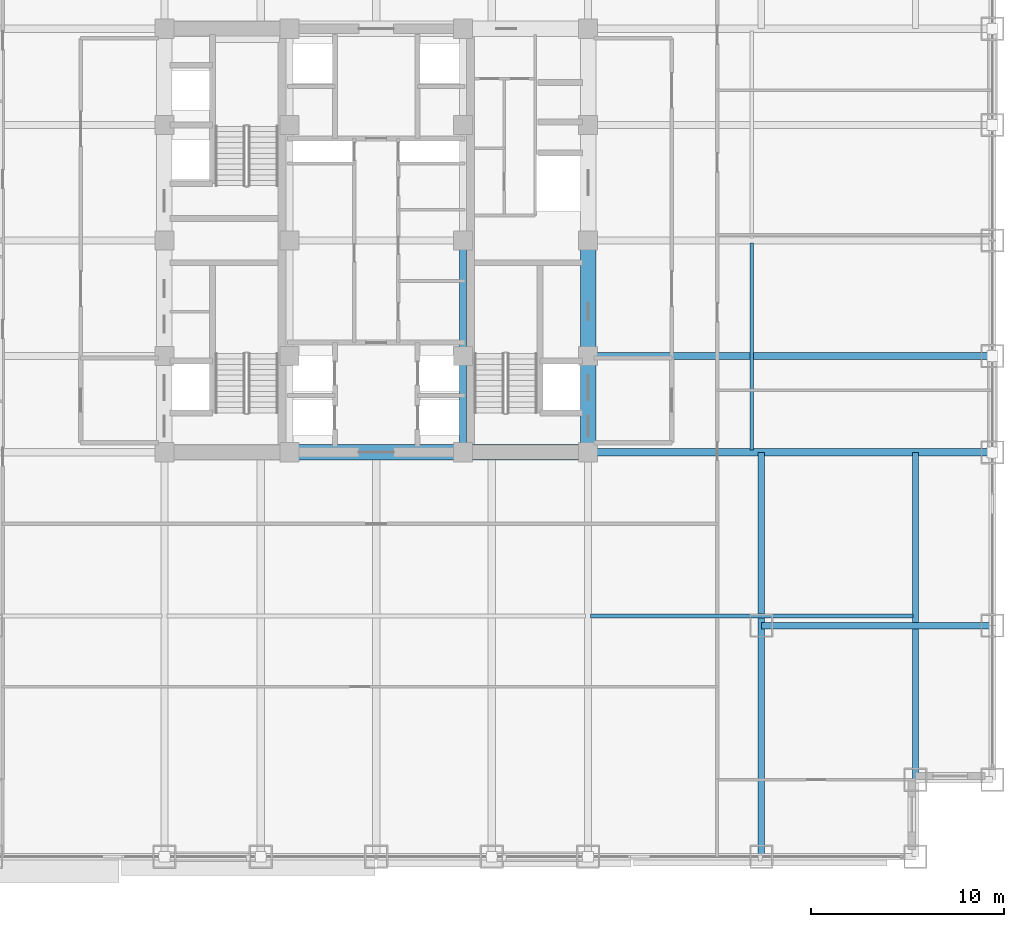
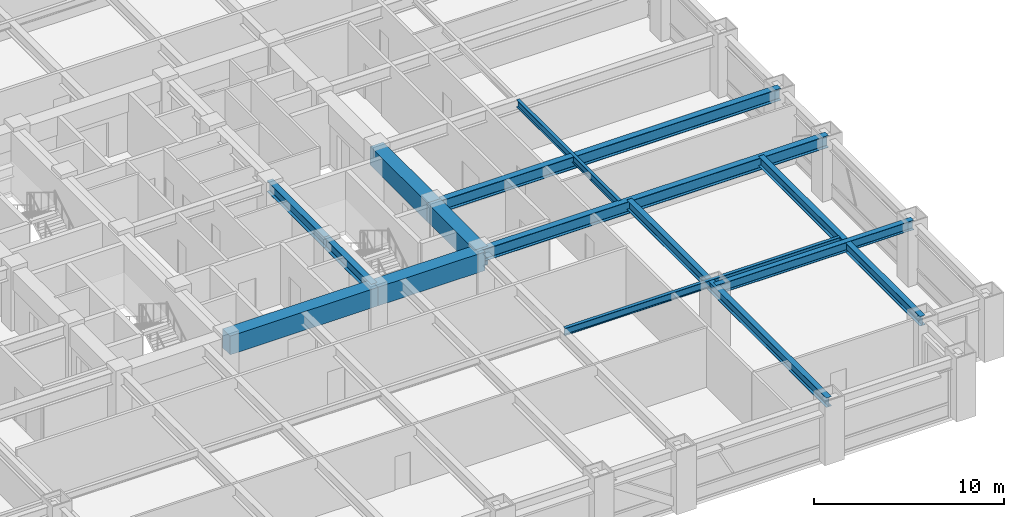
# One storey, part 7 of 32: 13 beams.
"""IFC4 building model written with IfcOpenShell, lengths in metres."""

from ifc_helpers import new_model, si_unit, direction, frame, origin, origin_2d, place, context, subcontext, project, spatial, rectangle, i_section, extrude, source, transform, mapped, material, material_profile, profile_set, type_object, element, save


model = new_model("IFC4")

# Units and contexts
model_context = context("Model", 3, precision=1e-05, world=origin(), true_north=direction((0.0, 1.0)))
body_context = subcontext(model_context, "Body", "Model", "MODEL_VIEW")
ifc_project = project(units=[si_unit("LENGTHUNIT", "METRE"), si_unit("AREAUNIT", "SQUARE_METRE"), si_unit("VOLUMEUNIT", "CUBIC_METRE"), si_unit("PLANEANGLEUNIT", "RADIAN"), si_unit("MASSUNIT", "GRAM", prefix="KILO")], contexts=[model_context])

# Site, building, storey
site_placement = place(None, origin())
site = spatial("IfcSite", under=ifc_project, at=site_placement, CompositionType="ELEMENT")
building_placement = place(site_placement, origin())
building = spatial("IfcBuilding", under=site, at=building_placement, Name="Khorayat Bourse Tower", CompositionType="ELEMENT")
storey_placement = place(building_placement, frame((0.0, 0.0, 99.60009765625)))
storey = spatial("IfcBuildingStorey", under=building, at=storey_placement, Name="L22", CompositionType="ELEMENT", Elevation=99.60009765625)

# Beams
ifc_material_1 = material(Name="Concrete C72/90", Category="concrete")
ifc_material_profile_1 = material_profile(ifc_material_1, rectangle(XDim=0.800048828125, YDim=1.199951171875, at=origin_2d()), Name="RC 800x1200")
ifc_profile_set_1 = profile_set([ifc_material_profile_1], Name="Concrete C72/90")
beam_type_1 = type_object("IfcBeamType", Name="BM-COUP-1200", PredefinedType="BEAM", material=ifc_profile_set_1)
shared_shape_1 = source(origin(), body_context, "Body", "SweptSolid", [
    extrude(rectangle(XDim=0.800048828125, YDim=1.199951171875, at=origin_2d()), origin(), (0.0, 0.0, 1.0), 5.0),
])
beam_1_placement = place(storey_placement, frame((11.0, -11.0, 3.239990234375), z_axis=(0.0, 1.0, 0.0), x_axis=(-1.0, 0.0, 0.0)))
element("IfcBeam", 1, at=beam_1_placement, inside=storey, type_object=beam_type_1, Name="L22 BM-COUP-1200 BM-L22-CRX-13", PredefinedType="BEAM", context=body_context, shape_type="MappedRepresentation", body=[
    mapped(shared_shape_1, transform((0.0, 0.0, 0.0), scale=1.0)),
])
shared_shape_2 = source(origin(), body_context, "Body", "SweptSolid", [
    extrude(rectangle(XDim=0.800048828125, YDim=1.199951171875, at=origin_2d()), origin(), (0.0, 0.0, 1.0), 6.0),
])
beam_2_placement = place(storey_placement, frame((11.0, -6.0, 3.239990234375), z_axis=(0.0, 1.0, 0.0), x_axis=(-1.0, 0.0, 0.0)))
element("IfcBeam", 2, at=beam_2_placement, inside=storey, type_object=beam_type_1, Name="L22 BM-COUP-1200 BM-L22-CRX-14", PredefinedType="BEAM", context=body_context, shape_type="MappedRepresentation", body=[
    mapped(shared_shape_2, transform((0.0, 0.0, 0.0), scale=1.0)),
])
ifc_material_2 = material(Name="Steel ASTM A992 Grade 50", Category="steel")
ifc_material_profile_2 = material_profile(ifc_material_2, i_section(OverallWidth=0.35498046875, OverallDepth=0.695068359375, WebThickness=0.015380859375, FlangeThickness=0.02490234375, FilletRadius=0.01806640625, at=origin_2d()), Name="W690X217")
ifc_profile_set_2 = profile_set([ifc_material_profile_2], Name="Steel ASTM A992 Grade 50")
beam_type_2 = type_object("IfcBeamType", Name="BM-GIRD-690", PredefinedType="BEAM", material=ifc_profile_set_2)
shared_shape_3 = source(origin(), body_context, "Body", "SweptSolid", [
    extrude(i_section(OverallWidth=0.35498046875, OverallDepth=0.695068359375, WebThickness=0.015380859375, FlangeThickness=0.02490234375, FilletRadius=0.01806640625, at=origin_2d()), origin(), (0.0, 0.0, 1.0), 5.0),
])
beam_3_placement = place(storey_placement, frame((4.5, -11.0, 3.492431640625), z_axis=(0.0, 1.0, 0.0), x_axis=(-1.0, 0.0, 0.0)))
element("IfcBeam", 3, at=beam_3_placement, inside=storey, type_object=beam_type_2, Name="L22 BM-GIRD-690 BM-L22-CRX-09", PredefinedType="BEAM", context=body_context, shape_type="MappedRepresentation", body=[
    mapped(shared_shape_3, transform((0.0, 0.0, 0.0), scale=1.0)),
])
shared_shape_4 = source(origin(), body_context, "Body", "SweptSolid", [
    extrude(i_section(OverallWidth=0.35498046875, OverallDepth=0.695068359375, WebThickness=0.015380859375, FlangeThickness=0.02490234375, FilletRadius=0.01806640625, at=origin_2d()), origin(), (0.0, 0.0, 1.0), 6.0),
])
beam_4_placement = place(storey_placement, frame((4.5, -6.0, 3.492431640625), z_axis=(0.0, 1.0, 0.0), x_axis=(-1.0, 0.0, 0.0)))
element("IfcBeam", 4, at=beam_4_placement, inside=storey, type_object=beam_type_2, Name="L22 BM-GIRD-690 BM-L22-CRX-10", PredefinedType="BEAM", context=body_context, shape_type="MappedRepresentation", body=[
    mapped(shared_shape_4, transform((0.0, 0.0, 0.0), scale=1.0)),
])
shared_shape_5 = source(origin(), body_context, "Body", "SweptSolid", [
    extrude(rectangle(XDim=0.800048828125, YDim=1.199951171875, at=origin_2d()), origin(), (0.0, 0.0, 1.0), 6.5),
])
beam_5_placement = place(storey_placement, frame((4.5, -11.0, 3.239990234375), z_axis=(1.0, 0.0, 0.0), x_axis=(0.0, 1.0, 0.0)))
element("IfcBeam", 5, at=beam_5_placement, inside=storey, type_object=beam_type_1, Name="L22 BM-COUP-1200 BM-L22-CRY-19", PredefinedType="BEAM", context=body_context, shape_type="MappedRepresentation", body=[
    mapped(shared_shape_5, transform((0.0, 0.0, 0.0), scale=1.0)),
])
shared_shape_6 = source(origin(), body_context, "Body", "SweptSolid", [
    extrude(rectangle(XDim=0.800048828125, YDim=1.199951171875, at=origin_2d()), origin(), (0.0, 0.0, 1.0), 9.0),
])
beam_6_placement = place(storey_placement, frame((-4.5, -11.0, 3.239990234375), z_axis=(1.0, 0.0, 0.0), x_axis=(0.0, 1.0, 0.0)))
element("IfcBeam", 6, at=beam_6_placement, inside=storey, type_object=beam_type_1, Name="L22 BM-COUP-1200 BM-L22-CRY-18", PredefinedType="BEAM", context=body_context, shape_type="MappedRepresentation", body=[
    mapped(shared_shape_6, transform((0.0, 0.0, 0.0), scale=1.0)),
])
ifc_material_profile_3 = material_profile(ifc_material_2, i_section(OverallWidth=0.324951171875, OverallDepth=0.615966796875, WebThickness=0.013916015625, FlangeThickness=0.021484375, FilletRadius=0.01611328125, at=origin_2d()), Name="W610X174")
ifc_profile_set_3 = profile_set([ifc_material_profile_3], Name="Steel ASTM A992 Grade 50")
beam_type_3 = type_object("IfcBeamType", Name="BM-GIRD-610", PredefinedType="BEAM", material=ifc_profile_set_3)
shared_shape_7 = source(origin(), body_context, "Body", "SweptSolid", [
    extrude(i_section(OverallWidth=0.324951171875, OverallDepth=0.615966796875, WebThickness=0.013916015625, FlangeThickness=0.021484375, FilletRadius=0.01611328125, at=origin_2d()), origin(), (0.0, 0.0, 1.0), 21.0),
])
beam_7_placement = place(storey_placement, frame((20.0, -32.0, 3.531982421875), z_axis=(0.0, 1.0, 0.0), x_axis=(-1.0, 0.0, 0.0)))
element("IfcBeam", 7, at=beam_7_placement, inside=storey, type_object=beam_type_3, Name="L22 BM-GIRD-610 BM-L22-CNRY-086", PredefinedType="BEAM", context=body_context, shape_type="MappedRepresentation", body=[
    mapped(shared_shape_7, transform((0.0, 0.0, 0.0), scale=1.0)),
])
shared_shape_8 = source(origin(), body_context, "Body", "SweptSolid", [
    extrude(i_section(OverallWidth=0.324951171875, OverallDepth=0.615966796875, WebThickness=0.013916015625, FlangeThickness=0.021484375, FilletRadius=0.01611328125, at=origin_2d()), origin(), (0.0, 0.0, 1.0), 12.0),
])
beam_8_placement = place(storey_placement, frame((20.0, -20.0, 3.531982421875), z_axis=(1.0, 0.0, 0.0), x_axis=(0.0, 1.0, 0.0)))
element("IfcBeam", 8, at=beam_8_placement, inside=storey, type_object=beam_type_3, Name="L22 BM-GIRD-610 BM-L22-CNRX-092", PredefinedType="BEAM", context=body_context, shape_type="MappedRepresentation", body=[
    mapped(shared_shape_8, transform((0.0, 0.0, 0.0), scale=1.0)),
])
ifc_material_profile_4 = material_profile(ifc_material_2, i_section(OverallWidth=0.194091796875, OverallDepth=0.468994140625, WebThickness=0.0126953125, FlangeThickness=0.0205078125, FilletRadius=0.012939453125, at=origin_2d()), Name="W460X106")
ifc_profile_set_4 = profile_set([ifc_material_profile_4], Name="Steel ASTM A992 Grade 50")
beam_type_4 = type_object("IfcBeamType", Name="BM-JOIST-460", PredefinedType="JOIST", material=ifc_profile_set_4)
shared_shape_9 = source(origin(), body_context, "Body", "SweptSolid", [
    extrude(i_section(OverallWidth=0.194091796875, OverallDepth=0.468994140625, WebThickness=0.0126953125, FlangeThickness=0.0205078125, FilletRadius=0.012939453125, at=origin_2d()), origin(), (0.0, 0.0, 1.0), 10.740234375),
])
beam_9_placement = place(storey_placement, frame((19.5, -10.8701171875, 3.60546875), z_axis=(0.0, 1.0, 0.0), x_axis=(-1.0, 0.0, 0.0)))
element("IfcBeam", 9, at=beam_9_placement, inside=storey, type_object=beam_type_4, Name="L22 BM-JOIST-460 BM-L22-JSTY-104", PredefinedType="JOIST", context=body_context, shape_type="MappedRepresentation", body=[
    mapped(shared_shape_9, transform((0.0, 0.0, 0.0), scale=1.0)),
])
ifc_material_profile_5 = material_profile(ifc_material_2, i_section(OverallWidth=0.381103515625, OverallDepth=0.77294921875, WebThickness=0.0166015625, FlangeThickness=0.027587890625, FilletRadius=0.01806640625, at=origin_2d()), Name="W760X257")
ifc_profile_set_5 = profile_set([ifc_material_profile_5], Name="Steel ASTM A992 Grade 50")
beam_type_5 = type_object("IfcBeamType", Name="BM-GIRD-760", PredefinedType="BEAM", material=ifc_profile_set_5)
shared_shape_10 = source(origin(), body_context, "Body", "SweptSolid", [
    extrude(i_section(OverallWidth=0.381103515625, OverallDepth=0.77294921875, WebThickness=0.0166015625, FlangeThickness=0.027587890625, FilletRadius=0.01806640625, at=origin_2d()), origin(), (0.0, 0.0, 1.0), 21.0),
])
for number, where, z_axis, x_axis, name in (
    (10, (11.0, -11.0, 3.453369140625), (1.0, 0.0, 0.0), (0.0, 1.0, 0.0), "L22 BM-GIRD-760 BM-L22-RADX-074"),
    (11, (11.0, -6.0, 3.453369140625), (1.0, 0.0, 0.0), (0.0, 1.0, 0.0), "L22 BM-GIRD-760 BM-L22-RADX-076"),
):
    element("IfcBeam", number, at=place(storey_placement, frame(where, z_axis=z_axis, x_axis=x_axis)), inside=storey, type_object=beam_type_5, Name=name, PredefinedType="BEAM", context=body_context, shape_type="MappedRepresentation", body=[
        mapped(shared_shape_10, transform((0.0, 0.0, 0.0), scale=1.0)),
    ])
shared_shape_11 = source(origin(), body_context, "Body", "SweptSolid", [
    extrude(i_section(OverallWidth=0.324951171875, OverallDepth=0.615966796875, WebThickness=0.013916015625, FlangeThickness=0.021484375, FilletRadius=0.01611328125, at=origin_2d()), origin(), (0.0, 0.0, 1.0), 17.0),
])
beam_10_placement = place(storey_placement, frame((28.0, -28.0, 3.531982421875), z_axis=(0.0, 1.0, 0.0), x_axis=(-1.0, 0.0, 0.0)))
element("IfcBeam", 12, at=beam_10_placement, inside=storey, type_object=beam_type_3, Name="L22 BM-GIRD-610 BM-L22-CNRY-090", PredefinedType="BEAM", context=body_context, shape_type="MappedRepresentation", body=[
    mapped(shared_shape_11, transform((0.0, 0.0, 0.0), scale=1.0)),
])
shared_shape_12 = source(origin(), body_context, "Body", "SweptSolid", [
    extrude(i_section(OverallWidth=0.194091796875, OverallDepth=0.468994140625, WebThickness=0.0126953125, FlangeThickness=0.0205078125, FilletRadius=0.012939453125, at=origin_2d()), origin(), (0.0, 0.0, 1.0), 16.740234375),
])
beam_11_placement = place(storey_placement, frame((11.1298828125, -19.5, 3.60546875), z_axis=(1.0, 0.0, 0.0), x_axis=(0.0, 1.0, 0.0)))
element("IfcBeam", 13, at=beam_11_placement, inside=storey, type_object=beam_type_4, Name="L22 BM-JOIST-460 BM-L22-JSTX-098", PredefinedType="JOIST", context=body_context, shape_type="MappedRepresentation", body=[
    mapped(shared_shape_12, transform((0.0, 0.0, 0.0), scale=1.0)),
])

save(model, "model.ifc")
